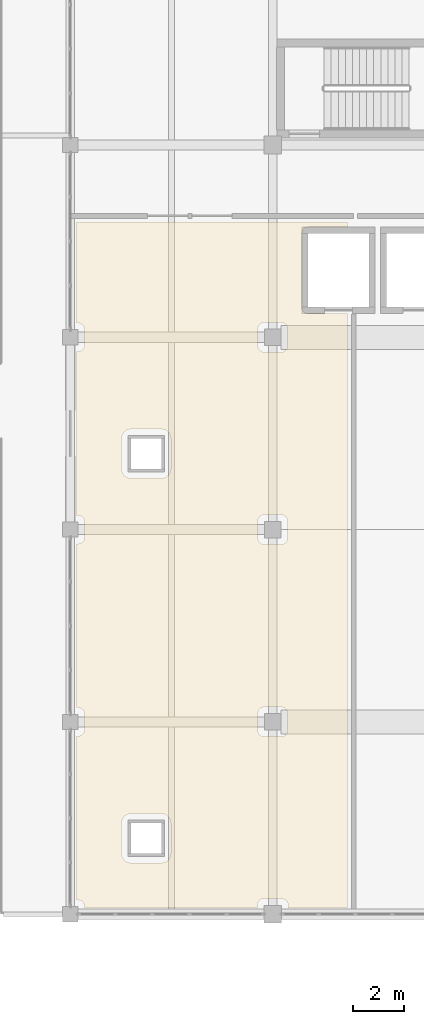
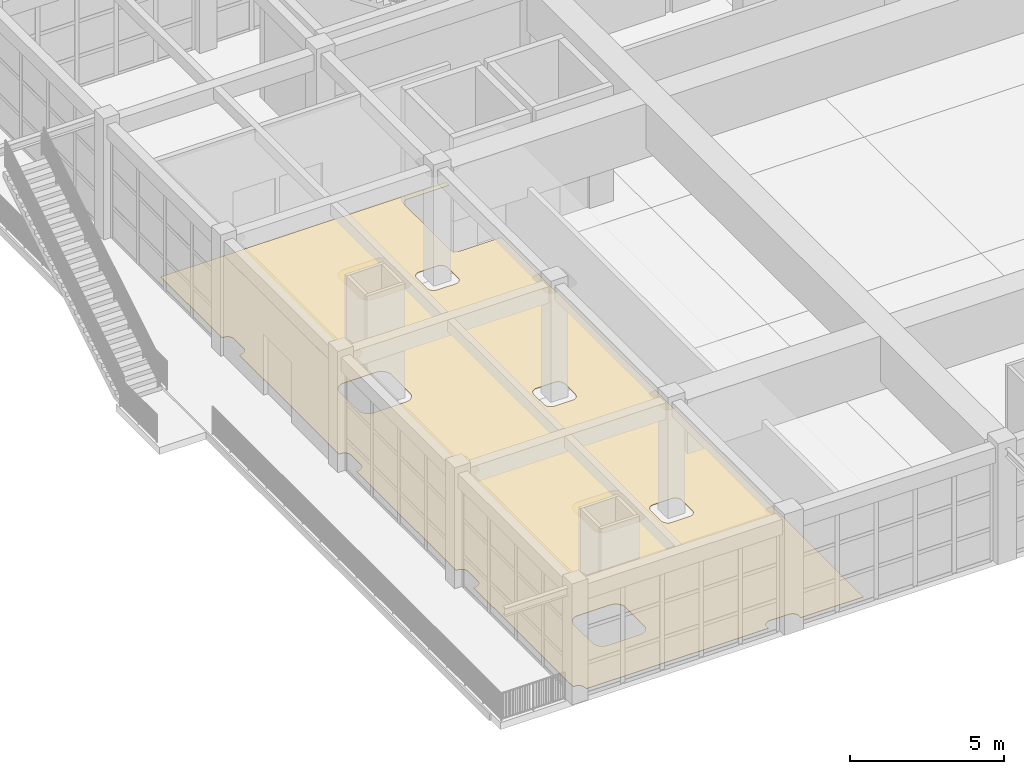
# One storey, part 43 of 50: 1 covering.
"""IFC4 building model written with IfcOpenShell, lengths in metres."""

from ifc_helpers import new_model, si_unit, direction, frame, origin, place, context, subcontext, project, spatial, polyline, outline, extrude, material, layer, layer_set, type_object, element, save


model = new_model("IFC4")

# Units and contexts
model_context = context("Model", 3, precision=1e-05, world=origin(), true_north=direction((0.0, 1.0)))
body_context = subcontext(model_context, "Body", "Model", "MODEL_VIEW")
ifc_project = project(units=[si_unit("LENGTHUNIT", "METRE"), si_unit("AREAUNIT", "SQUARE_METRE"), si_unit("VOLUMEUNIT", "CUBIC_METRE"), si_unit("PLANEANGLEUNIT", "RADIAN"), si_unit("MASSUNIT", "GRAM", prefix="KILO")], contexts=[model_context])

# Site, building, storey
site_placement = place(None, origin())
site = spatial("IfcSite", under=ifc_project, at=site_placement, CompositionType="ELEMENT")
building_placement = place(site_placement, origin())
building = spatial("IfcBuilding", under=site, at=building_placement, Name="Zantavel Square City Hall", CompositionType="ELEMENT")
storey_placement = place(building_placement, frame((0.0, 0.0, 18.89990234375)))
storey = spatial("IfcBuildingStorey", under=building, at=storey_placement, Name="L05", CompositionType="ELEMENT", Elevation=18.89990234375)

# Covering
ifc_material = material(Name="Terrazzo stone finish", Category="masonry")
ifc_layer = layer(ifc_material, 0.02001953125, Name="Terrazzo stone finish")
ifc_layer_set = layer_set([ifc_layer], Name="Terrazzo stone finish")
covering_type = type_object("IfcCoveringType", Name="Honed Cantera-Terrazzo Civic Flooring 20mm", PredefinedType="FLOORING", material=ifc_layer_set)
covering_placement = place(storey_placement, origin())
element("IfcCovering", 1, at=covering_placement, inside=storey, type_object=covering_type, Name="L05 Council Deliberation Lounge West Terrazzo Flooring", PredefinedType="FLOORING", context=body_context, shape_type="SweptSolid", body=[
    extrude(outline(polyline([(65.15478515625, 54.351318359375), (65.160888671875, 54.327392578125), (65.1689453125, 54.30419921875), (65.179443359375, 54.2822265625), (65.192138671875, 54.260986328125), (65.206787109375, 54.241455078125), (65.22314453125, 54.22314453125), (65.241455078125, 54.206787109375), (65.260986328125, 54.192138671875), (65.2822265625, 54.179443359375), (65.30419921875, 54.1689453125), (65.327392578125, 54.160888671875), (65.351318359375, 54.15478515625), (65.37548828125, 54.151123046875), (65.39990234375, 54.14990234375), (66.949951171875, 54.14990234375), (66.949951171875, 30.64990234375), (64.610107421875, 30.64990234375), (64.610107421875, 30.760009765625), (64.60888671875, 30.784423828125), (64.605224609375, 30.808837890625), (64.59912109375, 30.83251953125), (64.591064453125, 30.855712890625), (64.58056640625, 30.877685546875), (64.56787109375, 30.89892578125), (64.55322265625, 30.918701171875), (64.536865234375, 30.936767578125), (64.5185546875, 30.953369140625), (64.498779296875, 30.968017578125), (64.477783203125, 30.98046875), (64.455810546875, 30.990966796875), (64.4326171875, 30.999267578125), (64.40869140625, 31.005126953125), (64.384521484375, 31.0087890625), (64.360107421875, 31.010009765625), (63.639892578125, 31.010009765625), (63.615478515625, 31.0087890625), (63.59130859375, 31.005126953125), (63.5673828125, 30.999267578125), (63.544189453125, 30.990966796875), (63.522216796875, 30.98046875), (63.501220703125, 30.968017578125), (63.4814453125, 30.953369140625), (63.463134765625, 30.936767578125), (63.44677734375, 30.918701171875), (63.43212890625, 30.89892578125), (63.41943359375, 30.877685546875), (63.408935546875, 30.855712890625), (63.40087890625, 30.83251953125), (63.394775390625, 30.808837890625), (63.39111328125, 30.784423828125), (63.389892578125, 30.760009765625), (63.389892578125, 30.64990234375), (56.56005859375, 30.64990234375), (56.56005859375, 30.7099609375), (56.558837890625, 30.734619140625), (56.55517578125, 30.7587890625), (56.54931640625, 30.78271484375), (56.541015625, 30.8056640625), (56.530517578125, 30.827880859375), (56.517822265625, 30.848876953125), (56.50341796875, 30.86865234375), (56.48681640625, 30.88671875), (56.468505859375, 30.9033203125), (56.448974609375, 30.91796875), (56.427734375, 30.930419921875), (56.40576171875, 30.94091796875), (56.382568359375, 30.94921875), (56.35888671875, 30.955078125), (56.33447265625, 30.958740234375), (56.31005859375, 30.9599609375), (56.25, 30.9599609375), (56.25, 37.43994140625), (56.31005859375, 37.43994140625), (56.33447265625, 37.441162109375), (56.35888671875, 37.44482421875), (56.382568359375, 37.45068359375), (56.40576171875, 37.458984375), (56.427734375, 37.469482421875), (56.448974609375, 37.482177734375), (56.468505859375, 37.49658203125), (56.48681640625, 37.51318359375), (56.50341796875, 37.531494140625), (56.517822265625, 37.551025390625), (56.530517578125, 37.572265625), (56.541015625, 37.59423828125), (56.54931640625, 37.617431640625), (56.55517578125, 37.64111328125), (56.558837890625, 37.66552734375), (56.56005859375, 37.68994140625), (56.56005859375, 38.31005859375), (56.558837890625, 38.33447265625), (56.55517578125, 38.35888671875), (56.54931640625, 38.382568359375), (56.541015625, 38.40576171875), (56.530517578125, 38.427734375), (56.517822265625, 38.448974609375), (56.50341796875, 38.468505859375), (56.48681640625, 38.48681640625), (56.468505859375, 38.50341796875), (56.448974609375, 38.517822265625), (56.427734375, 38.530517578125), (56.40576171875, 38.541015625), (56.382568359375, 38.54931640625), (56.35888671875, 38.55517578125), (56.33447265625, 38.558837890625), (56.31005859375, 38.56005859375), (56.25, 38.56005859375), (56.25, 45.0400390625), (56.31005859375, 45.0400390625), (56.33447265625, 45.041259765625), (56.35888671875, 45.044921875), (56.382568359375, 45.05078125), (56.40576171875, 45.05908203125), (56.427734375, 45.069580078125), (56.448974609375, 45.08203125), (56.468505859375, 45.0966796875), (56.48681640625, 45.11328125), (56.50341796875, 45.13134765625), (56.517822265625, 45.151123046875), (56.530517578125, 45.172119140625), (56.541015625, 45.1943359375), (56.54931640625, 45.21728515625), (56.55517578125, 45.2412109375), (56.558837890625, 45.265380859375), (56.56005859375, 45.2900390625), (56.56005859375, 45.909912109375), (56.558837890625, 45.9345703125), (56.55517578125, 45.958740234375), (56.54931640625, 45.982666015625), (56.541015625, 46.005615234375), (56.530517578125, 46.02783203125), (56.517822265625, 46.048828125), (56.50341796875, 46.068603515625), (56.48681640625, 46.0869140625), (56.468505859375, 46.103271484375), (56.448974609375, 46.117919921875), (56.427734375, 46.130615234375), (56.40576171875, 46.14111328125), (56.382568359375, 46.149169921875), (56.35888671875, 46.1552734375), (56.33447265625, 46.15869140625), (56.31005859375, 46.159912109375), (56.25, 46.159912109375), (56.25, 52.639892578125), (56.31005859375, 52.639892578125), (56.33447265625, 52.64111328125), (56.35888671875, 52.644775390625), (56.382568359375, 52.65087890625), (56.40576171875, 52.658935546875), (56.427734375, 52.66943359375), (56.448974609375, 52.68212890625), (56.468505859375, 52.69677734375), (56.48681640625, 52.713134765625), (56.50341796875, 52.7314453125), (56.517822265625, 52.751220703125), (56.530517578125, 52.772216796875), (56.541015625, 52.794189453125), (56.54931640625, 52.8173828125), (56.55517578125, 52.84130859375), (56.558837890625, 52.865478515625), (56.56005859375, 52.889892578125), (56.56005859375, 53.510009765625), (56.558837890625, 53.534423828125), (56.55517578125, 53.558837890625), (56.54931640625, 53.58251953125), (56.541015625, 53.605712890625), (56.530517578125, 53.627685546875), (56.517822265625, 53.64892578125), (56.50341796875, 53.668701171875), (56.48681640625, 53.686767578125), (56.468505859375, 53.703369140625), (56.448974609375, 53.718017578125), (56.427734375, 53.73046875), (56.40576171875, 53.740966796875), (56.382568359375, 53.749267578125), (56.35888671875, 53.755126953125), (56.33447265625, 53.7587890625), (56.31005859375, 53.760009765625), (56.25, 53.760009765625), (56.25, 57.75), (66.949951171875, 57.75), (66.949951171875, 57.550048828125), (65.39990234375, 57.550048828125), (65.37548828125, 57.548828125), (65.351318359375, 57.545166015625), (65.327392578125, 57.539306640625), (65.30419921875, 57.531005859375), (65.2822265625, 57.5205078125), (65.260986328125, 57.5078125), (65.241455078125, 57.493408203125), (65.22314453125, 57.476806640625), (65.206787109375, 57.45849609375), (65.192138671875, 57.43896484375), (65.179443359375, 57.417724609375), (65.1689453125, 57.395751953125), (65.160888671875, 57.37255859375), (65.15478515625, 57.348876953125), (65.151123046875, 57.324462890625), (65.14990234375, 57.300048828125), (65.14990234375, 54.39990234375), (65.151123046875, 54.37548828125), (65.15478515625, 54.351318359375)]), holes=[polyline([(63.419921875, 37.6162109375), (63.42578125, 37.59228515625), (63.43408203125, 37.5693359375), (63.444580078125, 37.547119140625), (63.45703125, 37.526123046875), (63.4716796875, 37.50634765625), (63.48828125, 37.48828125), (63.50634765625, 37.4716796875), (63.526123046875, 37.45703125), (63.547119140625, 37.444580078125), (63.5693359375, 37.43408203125), (63.59228515625, 37.42578125), (63.6162109375, 37.419921875), (63.640380859375, 37.416259765625), (63.6650390625, 37.4150390625), (64.3349609375, 37.4150390625), (64.359619140625, 37.416259765625), (64.3837890625, 37.419921875), (64.40771484375, 37.42578125), (64.4306640625, 37.43408203125), (64.452880859375, 37.444580078125), (64.473876953125, 37.45703125), (64.49365234375, 37.4716796875), (64.51171875, 37.48828125), (64.5283203125, 37.50634765625), (64.54296875, 37.526123046875), (64.555419921875, 37.547119140625), (64.56591796875, 37.5693359375), (64.57421875, 37.59228515625), (64.580078125, 37.6162109375), (64.583740234375, 37.640380859375), (64.5849609375, 37.6650390625), (64.5849609375, 38.3349609375), (64.583740234375, 38.359619140625), (64.580078125, 38.3837890625), (64.57421875, 38.40771484375), (64.56591796875, 38.4306640625), (64.555419921875, 38.452880859375), (64.54296875, 38.473876953125), (64.5283203125, 38.49365234375), (64.51171875, 38.51171875), (64.49365234375, 38.5283203125), (64.473876953125, 38.54296875), (64.452880859375, 38.555419921875), (64.4306640625, 38.56591796875), (64.40771484375, 38.57421875), (64.3837890625, 38.580078125), (64.359619140625, 38.583740234375), (64.3349609375, 38.5849609375), (63.6650390625, 38.5849609375), (63.640380859375, 38.583740234375), (63.6162109375, 38.580078125), (63.59228515625, 38.57421875), (63.5693359375, 38.56591796875), (63.547119140625, 38.555419921875), (63.526123046875, 38.54296875), (63.50634765625, 38.5283203125), (63.48828125, 38.51171875), (63.4716796875, 38.49365234375), (63.45703125, 38.473876953125), (63.444580078125, 38.452880859375), (63.43408203125, 38.4306640625), (63.42578125, 38.40771484375), (63.419921875, 38.3837890625), (63.416259765625, 38.359619140625), (63.4150390625, 38.3349609375), (63.4150390625, 37.6650390625), (63.416259765625, 37.640380859375), (63.419921875, 37.6162109375)]), polyline([(63.419921875, 45.21630859375), (63.42578125, 45.1923828125), (63.43408203125, 45.169189453125), (63.444580078125, 45.147216796875), (63.45703125, 45.126220703125), (63.4716796875, 45.1064453125), (63.48828125, 45.088134765625), (63.50634765625, 45.07177734375), (63.526123046875, 45.05712890625), (63.547119140625, 45.04443359375), (63.5693359375, 45.033935546875), (63.59228515625, 45.02587890625), (63.6162109375, 45.019775390625), (63.640380859375, 45.01611328125), (63.6650390625, 45.014892578125), (64.3349609375, 45.014892578125), (64.359619140625, 45.01611328125), (64.3837890625, 45.019775390625), (64.40771484375, 45.02587890625), (64.4306640625, 45.033935546875), (64.452880859375, 45.04443359375), (64.473876953125, 45.05712890625), (64.49365234375, 45.07177734375), (64.51171875, 45.088134765625), (64.5283203125, 45.1064453125), (64.54296875, 45.126220703125), (64.555419921875, 45.147216796875), (64.56591796875, 45.169189453125), (64.57421875, 45.1923828125), (64.580078125, 45.21630859375), (64.583740234375, 45.240478515625), (64.5849609375, 45.264892578125), (64.5849609375, 45.93505859375), (64.583740234375, 45.95947265625), (64.580078125, 45.98388671875), (64.57421875, 46.007568359375), (64.56591796875, 46.03076171875), (64.555419921875, 46.052734375), (64.54296875, 46.073974609375), (64.5283203125, 46.093505859375), (64.51171875, 46.11181640625), (64.49365234375, 46.12841796875), (64.473876953125, 46.142822265625), (64.452880859375, 46.155517578125), (64.4306640625, 46.166015625), (64.40771484375, 46.17431640625), (64.3837890625, 46.18017578125), (64.359619140625, 46.183837890625), (64.3349609375, 46.18505859375), (63.6650390625, 46.18505859375), (63.640380859375, 46.183837890625), (63.6162109375, 46.18017578125), (63.59228515625, 46.17431640625), (63.5693359375, 46.166015625), (63.547119140625, 46.155517578125), (63.526123046875, 46.142822265625), (63.50634765625, 46.12841796875), (63.48828125, 46.11181640625), (63.4716796875, 46.093505859375), (63.45703125, 46.073974609375), (63.444580078125, 46.052734375), (63.43408203125, 46.03076171875), (63.42578125, 46.007568359375), (63.419921875, 45.98388671875), (63.416259765625, 45.95947265625), (63.4150390625, 45.93505859375), (63.4150390625, 45.264892578125), (63.416259765625, 45.240478515625), (63.419921875, 45.21630859375)]), polyline([(63.419921875, 52.816162109375), (63.42578125, 52.79248046875), (63.43408203125, 52.769287109375), (63.444580078125, 52.747314453125), (63.45703125, 52.72607421875), (63.4716796875, 52.706298828125), (63.48828125, 52.688232421875), (63.50634765625, 52.671630859375), (63.526123046875, 52.656982421875), (63.547119140625, 52.64453125), (63.5693359375, 52.634033203125), (63.59228515625, 52.625732421875), (63.6162109375, 52.619873046875), (63.640380859375, 52.6162109375), (63.6650390625, 52.614990234375), (64.3349609375, 52.614990234375), (64.359619140625, 52.6162109375), (64.3837890625, 52.619873046875), (64.40771484375, 52.625732421875), (64.4306640625, 52.634033203125), (64.452880859375, 52.64453125), (64.473876953125, 52.656982421875), (64.49365234375, 52.671630859375), (64.51171875, 52.688232421875), (64.5283203125, 52.706298828125), (64.54296875, 52.72607421875), (64.555419921875, 52.747314453125), (64.56591796875, 52.769287109375), (64.57421875, 52.79248046875), (64.580078125, 52.816162109375), (64.583740234375, 52.840576171875), (64.5849609375, 52.864990234375), (64.5849609375, 53.534912109375), (64.583740234375, 53.5595703125), (64.580078125, 53.583740234375), (64.57421875, 53.607666015625), (64.56591796875, 53.630615234375), (64.555419921875, 53.65283203125), (64.54296875, 53.673828125), (64.5283203125, 53.693603515625), (64.51171875, 53.7119140625), (64.49365234375, 53.728271484375), (64.473876953125, 53.742919921875), (64.452880859375, 53.755615234375), (64.4306640625, 53.76611328125), (64.40771484375, 53.774169921875), (64.3837890625, 53.7802734375), (64.359619140625, 53.78369140625), (64.3349609375, 53.784912109375), (63.6650390625, 53.784912109375), (63.640380859375, 53.78369140625), (63.6162109375, 53.7802734375), (63.59228515625, 53.774169921875), (63.5693359375, 53.76611328125), (63.547119140625, 53.755615234375), (63.526123046875, 53.742919921875), (63.50634765625, 53.728271484375), (63.48828125, 53.7119140625), (63.4716796875, 53.693603515625), (63.45703125, 53.673828125), (63.444580078125, 53.65283203125), (63.43408203125, 53.630615234375), (63.42578125, 53.607666015625), (63.419921875, 53.583740234375), (63.416259765625, 53.5595703125), (63.4150390625, 53.534912109375), (63.4150390625, 52.864990234375), (63.416259765625, 52.840576171875), (63.419921875, 52.816162109375)]), polyline([(58.281005859375, 32.44970703125), (58.304443359375, 32.442626953125), (58.31591796875, 32.439697265625), (58.33984375, 32.43505859375), (58.3515625, 32.433349609375), (58.3759765625, 32.430908203125), (58.3876953125, 32.430419921875), (58.39990234375, 32.429931640625), (59.60009765625, 32.429931640625), (59.6123046875, 32.430419921875), (59.6240234375, 32.430908203125), (59.6484375, 32.433349609375), (59.66015625, 32.43505859375), (59.68408203125, 32.439697265625), (59.695556640625, 32.442626953125), (59.718994140625, 32.44970703125), (59.72998046875, 32.45361328125), (59.752685546875, 32.463134765625), (59.763427734375, 32.46826171875), (59.78515625, 32.479736328125), (59.795166015625, 32.48583984375), (59.815673828125, 32.49951171875), (59.8251953125, 32.50634765625), (59.843994140625, 32.52197265625), (59.852783203125, 32.52978515625), (59.8701171875, 32.54736328125), (59.8779296875, 32.555908203125), (59.8935546875, 32.574951171875), (59.900634765625, 32.58447265625), (59.914306640625, 32.604736328125), (59.92041015625, 32.614990234375), (59.931884765625, 32.636474609375), (59.93701171875, 32.647216796875), (59.9462890625, 32.669921875), (59.9501953125, 32.680908203125), (59.957275390625, 32.704345703125), (59.960205078125, 32.7158203125), (59.965087890625, 32.739990234375), (59.966796875, 32.751708984375), (59.968994140625, 32.77587890625), (59.9697265625, 32.78759765625), (59.969970703125, 32.800048828125), (59.969970703125, 34.0), (59.9697265625, 34.01220703125), (59.968994140625, 34.02392578125), (59.966796875, 34.04833984375), (59.965087890625, 34.06005859375), (59.960205078125, 34.084228515625), (59.957275390625, 34.095703125), (59.9501953125, 34.119140625), (59.9462890625, 34.130126953125), (59.93701171875, 34.15283203125), (59.931884765625, 34.16357421875), (59.92041015625, 34.18505859375), (59.914306640625, 34.1953125), (59.900634765625, 34.215576171875), (59.8935546875, 34.22509765625), (59.8779296875, 34.243896484375), (59.8701171875, 34.252685546875), (59.852783203125, 34.27001953125), (59.843994140625, 34.278076171875), (59.8251953125, 34.293701171875), (59.815673828125, 34.300537109375), (59.795166015625, 34.314208984375), (59.78515625, 34.3203125), (59.763427734375, 34.331787109375), (59.752685546875, 34.3369140625), (59.72998046875, 34.34619140625), (59.718994140625, 34.35009765625), (59.695556640625, 34.357421875), (59.68408203125, 34.360107421875), (59.66015625, 34.364990234375), (59.6484375, 34.36669921875), (59.6240234375, 34.369140625), (59.6123046875, 34.36962890625), (59.60009765625, 34.3701171875), (58.39990234375, 34.3701171875), (58.3876953125, 34.36962890625), (58.3759765625, 34.369140625), (58.3515625, 34.36669921875), (58.33984375, 34.364990234375), (58.31591796875, 34.360107421875), (58.304443359375, 34.357421875), (58.281005859375, 34.35009765625), (58.27001953125, 34.34619140625), (58.247314453125, 34.3369140625), (58.236572265625, 34.331787109375), (58.21484375, 34.3203125), (58.204833984375, 34.314208984375), (58.184326171875, 34.300537109375), (58.1748046875, 34.293701171875), (58.156005859375, 34.278076171875), (58.147216796875, 34.27001953125), (58.1298828125, 34.252685546875), (58.1220703125, 34.243896484375), (58.1064453125, 34.22509765625), (58.099365234375, 34.215576171875), (58.085693359375, 34.1953125), (58.07958984375, 34.18505859375), (58.068115234375, 34.16357421875), (58.06298828125, 34.15283203125), (58.0537109375, 34.130126953125), (58.0498046875, 34.119140625), (58.042724609375, 34.095703125), (58.039794921875, 34.084228515625), (58.034912109375, 34.06005859375), (58.033203125, 34.04833984375), (58.031005859375, 34.02392578125), (58.0302734375, 34.01220703125), (58.030029296875, 34.0), (58.030029296875, 32.800048828125), (58.0302734375, 32.78759765625), (58.031005859375, 32.77587890625), (58.033203125, 32.751708984375), (58.034912109375, 32.739990234375), (58.039794921875, 32.7158203125), (58.042724609375, 32.704345703125), (58.0498046875, 32.680908203125), (58.0537109375, 32.669921875), (58.06298828125, 32.647216796875), (58.068115234375, 32.636474609375), (58.07958984375, 32.614990234375), (58.085693359375, 32.604736328125), (58.099365234375, 32.58447265625), (58.1064453125, 32.574951171875), (58.1220703125, 32.555908203125), (58.1298828125, 32.54736328125), (58.147216796875, 32.52978515625), (58.156005859375, 32.52197265625), (58.1748046875, 32.50634765625), (58.184326171875, 32.49951171875), (58.204833984375, 32.48583984375), (58.21484375, 32.479736328125), (58.236572265625, 32.46826171875), (58.247314453125, 32.463134765625), (58.27001953125, 32.45361328125), (58.281005859375, 32.44970703125)]), polyline([(58.3876953125, 47.63037109375), (58.39990234375, 47.6298828125), (59.60009765625, 47.6298828125), (59.6123046875, 47.63037109375), (59.6240234375, 47.630859375), (59.6484375, 47.63330078125), (59.66015625, 47.635009765625), (59.68408203125, 47.639892578125), (59.695556640625, 47.642578125), (59.718994140625, 47.64990234375), (59.72998046875, 47.65380859375), (59.752685546875, 47.6630859375), (59.763427734375, 47.668212890625), (59.78515625, 47.6796875), (59.795166015625, 47.685791015625), (59.815673828125, 47.699462890625), (59.8251953125, 47.706298828125), (59.843994140625, 47.721923828125), (59.852783203125, 47.72998046875), (59.8701171875, 47.747314453125), (59.8779296875, 47.756103515625), (59.8935546875, 47.77490234375), (59.900634765625, 47.784423828125), (59.914306640625, 47.8046875), (59.92041015625, 47.81494140625), (59.931884765625, 47.83642578125), (59.93701171875, 47.84716796875), (59.9462890625, 47.869873046875), (59.9501953125, 47.880859375), (59.957275390625, 47.904296875), (59.960205078125, 47.915771484375), (59.965087890625, 47.93994140625), (59.966796875, 47.95166015625), (59.968994140625, 47.97607421875), (59.9697265625, 47.98779296875), (59.969970703125, 48.0), (59.969970703125, 49.199951171875), (59.9697265625, 49.21240234375), (59.968994140625, 49.22412109375), (59.966796875, 49.248291015625), (59.965087890625, 49.260009765625), (59.960205078125, 49.2841796875), (59.957275390625, 49.295654296875), (59.9501953125, 49.319091796875), (59.9462890625, 49.330078125), (59.93701171875, 49.352783203125), (59.931884765625, 49.363525390625), (59.92041015625, 49.385009765625), (59.914306640625, 49.395263671875), (59.900634765625, 49.41552734375), (59.8935546875, 49.425048828125), (59.8779296875, 49.444091796875), (59.8701171875, 49.45263671875), (59.852783203125, 49.47021484375), (59.843994140625, 49.47802734375), (59.8251953125, 49.49365234375), (59.815673828125, 49.50048828125), (59.795166015625, 49.51416015625), (59.78515625, 49.520263671875), (59.763427734375, 49.53173828125), (59.752685546875, 49.536865234375), (59.72998046875, 49.54638671875), (59.718994140625, 49.55029296875), (59.695556640625, 49.557373046875), (59.68408203125, 49.560302734375), (59.66015625, 49.56494140625), (59.6484375, 49.566650390625), (59.6240234375, 49.569091796875), (59.6123046875, 49.569580078125), (59.60009765625, 49.570068359375), (58.39990234375, 49.570068359375), (58.3876953125, 49.569580078125), (58.3759765625, 49.569091796875), (58.3515625, 49.566650390625), (58.33984375, 49.56494140625), (58.31591796875, 49.560302734375), (58.304443359375, 49.557373046875), (58.281005859375, 49.55029296875), (58.27001953125, 49.54638671875), (58.247314453125, 49.536865234375), (58.236572265625, 49.53173828125), (58.21484375, 49.520263671875), (58.204833984375, 49.51416015625), (58.184326171875, 49.50048828125), (58.1748046875, 49.49365234375), (58.156005859375, 49.47802734375), (58.147216796875, 49.47021484375), (58.1298828125, 49.45263671875), (58.1220703125, 49.444091796875), (58.1064453125, 49.425048828125), (58.099365234375, 49.41552734375), (58.085693359375, 49.395263671875), (58.07958984375, 49.385009765625), (58.068115234375, 49.363525390625), (58.06298828125, 49.352783203125), (58.0537109375, 49.330078125), (58.0498046875, 49.319091796875), (58.042724609375, 49.295654296875), (58.039794921875, 49.2841796875), (58.034912109375, 49.260009765625), (58.033203125, 49.248291015625), (58.031005859375, 49.22412109375), (58.0302734375, 49.21240234375), (58.030029296875, 49.199951171875), (58.030029296875, 48.0), (58.0302734375, 47.98779296875), (58.031005859375, 47.97607421875), (58.033203125, 47.95166015625), (58.034912109375, 47.93994140625), (58.039794921875, 47.915771484375), (58.042724609375, 47.904296875), (58.0498046875, 47.880859375), (58.0537109375, 47.869873046875), (58.06298828125, 47.84716796875), (58.068115234375, 47.83642578125), (58.07958984375, 47.81494140625), (58.085693359375, 47.8046875), (58.099365234375, 47.784423828125), (58.1064453125, 47.77490234375), (58.1220703125, 47.756103515625), (58.1298828125, 47.747314453125), (58.147216796875, 47.72998046875), (58.156005859375, 47.721923828125), (58.1748046875, 47.706298828125), (58.184326171875, 47.699462890625), (58.204833984375, 47.685791015625), (58.21484375, 47.6796875), (58.236572265625, 47.668212890625), (58.247314453125, 47.6630859375), (58.27001953125, 47.65380859375), (58.281005859375, 47.64990234375), (58.304443359375, 47.642578125), (58.31591796875, 47.639892578125), (58.33984375, 47.635009765625), (58.3515625, 47.63330078125), (58.3759765625, 47.630859375), (58.3876953125, 47.63037109375)])]), origin(), (0.0, 0.0, 1.0), 0.02001953125),
])

save(model, "model.ifc")
